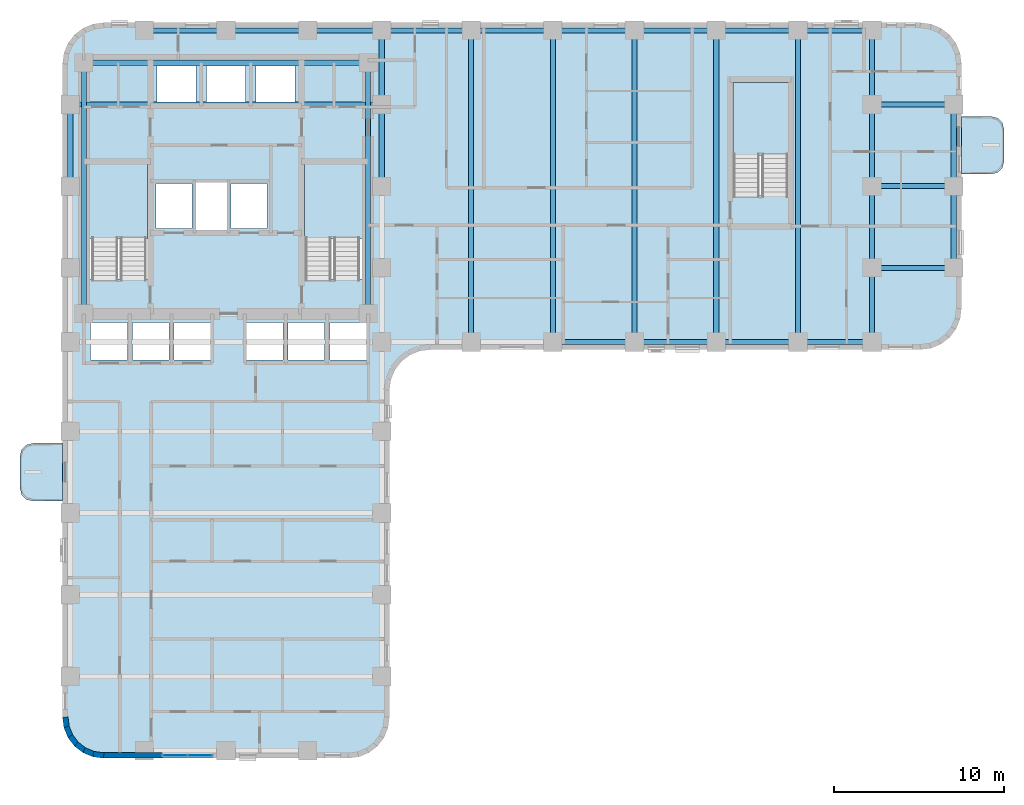
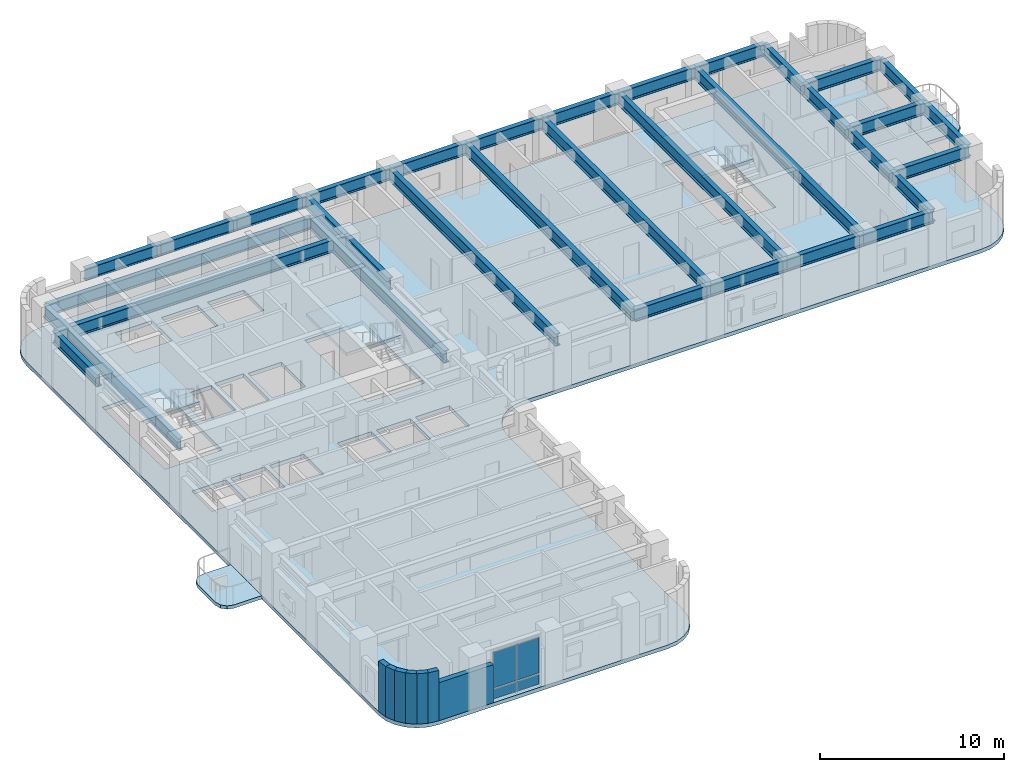
# One storey, part 3 of 12: 34 beams, 7 walls, 6 slabs, 4 plates, 4 elements without a shape of their own.
"""IFC4 building model written with IfcOpenShell, lengths in metres."""

from ifc_helpers import new_model, si_unit, direction, frame, frame_2d, origin, origin_2d, place, context, subcontext, project, spatial, polyline, rectangle, i_section, outline, extrude, material, layer, layer_set, material_profile, profile_set, type_object, element, aggregate, save


model = new_model("IFC4")

# Units and contexts
model_context = context("Model", 3, precision=1e-05, world=origin(), true_north=direction((0.0, 1.0)))
body_context = subcontext(model_context, "Body", "Model", "MODEL_VIEW")
ifc_project = project(units=[si_unit("LENGTHUNIT", "METRE"), si_unit("AREAUNIT", "SQUARE_METRE"), si_unit("VOLUMEUNIT", "CUBIC_METRE"), si_unit("PLANEANGLEUNIT", "RADIAN"), si_unit("MASSUNIT", "GRAM", prefix="KILO")], contexts=[model_context])

# Site, building, storey
site_placement = place(None, origin())
site = spatial("IfcSite", under=ifc_project, at=site_placement, CompositionType="ELEMENT")
building_placement = place(site_placement, origin())
building = spatial("IfcBuilding", under=site, at=building_placement, Name="Orvandelia Arch Residences", CompositionType="ELEMENT")
storey_placement = place(building_placement, frame((0.0, 0.0, 71.800048828125)))
storey = spatial("IfcBuildingStorey", under=building, at=storey_placement, Name="L18", CompositionType="ELEMENT", Elevation=71.800048828125)

# Beams
ifc_material_1 = material(Name="Structural Steel SM355 (355 MPa)", Category="steel")
ifc_material_profile = material_profile(ifc_material_1, i_section(OverallWidth=0.300048828125, OverallDepth=0.800048828125, WebThickness=0.013916015625, FlangeThickness=0.02587890625, FilletRadius=0.02587890625, at=origin_2d()), Name="Structural Steel SM355 (355 MPa)", Category="steel")
ifc_profile_set = profile_set([ifc_material_profile], Name="Structural Steel SM355 (355 MPa)")
beam_type = type_object("IfcBeamType", Name="BM-GRD-H800", PredefinedType="BEAM", material=ifc_profile_set)
beam_1_placement = place(storey_placement, frame((5.25, 38.39990234375, 2.949951171875), z_axis=(0.0, 1.0, 0.0), x_axis=(-1.0, 0.0, 0.0)))
element("IfcBeam", 1, at=beam_1_placement, inside=storey, type_object=beam_type, Name="Structural Frame Beam L18-NS-007", PredefinedType="BEAM", context=body_context, shape_type="SweptSolid", body=[
    extrude(i_section(OverallWidth=0.300048828125, OverallDepth=0.800048828125, WebThickness=0.013916015625, FlangeThickness=0.02587890625, FilletRadius=0.02587890625, at=origin_2d()), origin(), (0.0, 0.0, 1.0), 4.800048828125),
])
for number, where, z_axis, x_axis, name in (
    (2, (6.050048828125, 30.89990234375, 2.949951171875), (0.0, 1.0, 0.0), (-1.0, 0.0, 0.0), "Structural Frame Beam L18-NS-008"),
    (3, (22.75, 30.89990234375, 2.949951171875), (0.0, 1.0, 0.0), (-1.0, 0.0, 0.0), "Structural Frame Beam L18-NS-009"),
):
    element("IfcBeam", number, at=place(storey_placement, frame(where, z_axis=z_axis, x_axis=x_axis)), inside=storey, type_object=beam_type, Name=name, PredefinedType="BEAM", context=body_context, shape_type="SweptSolid", body=[
        extrude(i_section(OverallWidth=0.300048828125, OverallDepth=0.800048828125, WebThickness=0.013916015625, FlangeThickness=0.02587890625, FilletRadius=0.02587890625, at=origin_2d()), origin(), (0.0, 0.0, 1.0), 14.75),
    ])
beam_2_placement = place(storey_placement, frame((23.550048828125, 38.39990234375, 2.949951171875), z_axis=(0.0, 1.0, 0.0), x_axis=(-1.0, 0.0, 0.0)))
element("IfcBeam", 4, at=beam_2_placement, inside=storey, type_object=beam_type, Name="Structural Frame Beam L18-NS-016", PredefinedType="BEAM", context=body_context, shape_type="SweptSolid", body=[
    extrude(i_section(OverallWidth=0.300048828125, OverallDepth=0.800048828125, WebThickness=0.013916015625, FlangeThickness=0.02587890625, FilletRadius=0.02587890625, at=origin_2d()), origin(), (0.0, 0.0, 1.0), 4.800048828125),
])
beam_3_placement = place(storey_placement, frame((23.550048828125, 43.199951171875, 2.949951171875), z_axis=(0.0, 1.0, 0.0), x_axis=(-1.0, 0.0, 0.0)))
element("IfcBeam", 5, at=beam_3_placement, inside=storey, type_object=beam_type, Name="Structural Frame Beam L18-NS-017", PredefinedType="BEAM", context=body_context, shape_type="SweptSolid", body=[
    extrude(i_section(OverallWidth=0.300048828125, OverallDepth=0.800048828125, WebThickness=0.013916015625, FlangeThickness=0.02587890625, FilletRadius=0.02587890625, at=origin_2d()), origin(), (0.0, 0.0, 1.0), 4.35009765625),
])
for number, where, z_axis, x_axis, name in (
    (6, (28.800048828125, 29.25, 2.949951171875), (0.0, 1.0, 0.0), (-1.0, 0.0, 0.0), "Structural Frame Beam L18-NS-018"),
    (7, (33.60009765625, 29.25, 2.949951171875), (0.0, 1.0, 0.0), (-1.0, 0.0, 0.0), "Structural Frame Beam L18-NS-019"),
    (8, (38.39990234375, 29.25, 2.949951171875), (0.0, 1.0, 0.0), (-1.0, 0.0, 0.0), "Structural Frame Beam L18-NS-020"),
    (9, (43.199951171875, 29.25, 2.949951171875), (0.0, 1.0, 0.0), (-1.0, 0.0, 0.0), "Structural Frame Beam L18-NS-021"),
    (10, (48.0, 29.25, 2.949951171875), (0.0, 1.0, 0.0), (-1.0, 0.0, 0.0), "Structural Frame Beam L18-NS-022"),
):
    element("IfcBeam", number, at=place(storey_placement, frame(where, z_axis=z_axis, x_axis=x_axis)), inside=storey, type_object=beam_type, Name=name, PredefinedType="BEAM", context=body_context, shape_type="SweptSolid", body=[
        extrude(i_section(OverallWidth=0.300048828125, OverallDepth=0.800048828125, WebThickness=0.013916015625, FlangeThickness=0.02587890625, FilletRadius=0.02587890625, at=origin_2d()), origin(), (0.0, 0.0, 1.0), 18.300048828125),
    ])
beam_4_placement = place(storey_placement, frame((52.35009765625, 29.25, 2.949951171875), z_axis=(0.0, 1.0, 0.0), x_axis=(-1.0, 0.0, 0.0)))
element("IfcBeam", 11, at=beam_4_placement, inside=storey, type_object=beam_type, Name="Structural Frame Beam L18-NS-023", PredefinedType="BEAM", context=body_context, shape_type="SweptSolid", body=[
    extrude(i_section(OverallWidth=0.300048828125, OverallDepth=0.800048828125, WebThickness=0.013916015625, FlangeThickness=0.02587890625, FilletRadius=0.02587890625, at=origin_2d()), origin(), (0.0, 0.0, 1.0), 4.35009765625),
])
beam_5_placement = place(storey_placement, frame((52.35009765625, 33.60009765625, 2.949951171875), z_axis=(0.0, 1.0, 0.0), x_axis=(-1.0, 0.0, 0.0)))
element("IfcBeam", 12, at=beam_5_placement, inside=storey, type_object=beam_type, Name="Structural Frame Beam L18-NS-024", PredefinedType="BEAM", context=body_context, shape_type="SweptSolid", body=[
    extrude(i_section(OverallWidth=0.300048828125, OverallDepth=0.800048828125, WebThickness=0.013916015625, FlangeThickness=0.02587890625, FilletRadius=0.02587890625, at=origin_2d()), origin(), (0.0, 0.0, 1.0), 4.7998046875),
])
beam_6_placement = place(storey_placement, frame((52.35009765625, 38.39990234375, 2.949951171875), z_axis=(0.0, 1.0, 0.0), x_axis=(-1.0, 0.0, 0.0)))
element("IfcBeam", 13, at=beam_6_placement, inside=storey, type_object=beam_type, Name="Structural Frame Beam L18-NS-025", PredefinedType="BEAM", context=body_context, shape_type="SweptSolid", body=[
    extrude(i_section(OverallWidth=0.300048828125, OverallDepth=0.800048828125, WebThickness=0.013916015625, FlangeThickness=0.02587890625, FilletRadius=0.02587890625, at=origin_2d()), origin(), (0.0, 0.0, 1.0), 4.800048828125),
])
beam_7_placement = place(storey_placement, frame((52.35009765625, 43.199951171875, 2.949951171875), z_axis=(0.0, 1.0, 0.0), x_axis=(-1.0, 0.0, 0.0)))
element("IfcBeam", 14, at=beam_7_placement, inside=storey, type_object=beam_type, Name="Structural Frame Beam L18-NS-026", PredefinedType="BEAM", context=body_context, shape_type="SweptSolid", body=[
    extrude(i_section(OverallWidth=0.300048828125, OverallDepth=0.800048828125, WebThickness=0.013916015625, FlangeThickness=0.02587890625, FilletRadius=0.02587890625, at=origin_2d()), origin(), (0.0, 0.0, 1.0), 4.35009765625),
])
beam_8_placement = place(storey_placement, frame((57.14990234375, 33.60009765625, 2.949951171875), z_axis=(0.0, 1.0, 0.0), x_axis=(-1.0, 0.0, 0.0)))
element("IfcBeam", 15, at=beam_8_placement, inside=storey, type_object=beam_type, Name="Structural Frame Beam L18-NS-027", PredefinedType="BEAM", context=body_context, shape_type="SweptSolid", body=[
    extrude(i_section(OverallWidth=0.300048828125, OverallDepth=0.800048828125, WebThickness=0.013916015625, FlangeThickness=0.02587890625, FilletRadius=0.02587890625, at=origin_2d()), origin(), (0.0, 0.0, 1.0), 4.7998046875),
])
beam_9_placement = place(storey_placement, frame((57.14990234375, 38.39990234375, 2.949951171875), z_axis=(0.0, 1.0, 0.0), x_axis=(-1.0, 0.0, 0.0)))
element("IfcBeam", 16, at=beam_9_placement, inside=storey, type_object=beam_type, Name="Structural Frame Beam L18-NS-028", PredefinedType="BEAM", context=body_context, shape_type="SweptSolid", body=[
    extrude(i_section(OverallWidth=0.300048828125, OverallDepth=0.800048828125, WebThickness=0.013916015625, FlangeThickness=0.02587890625, FilletRadius=0.02587890625, at=origin_2d()), origin(), (0.0, 0.0, 1.0), 4.800048828125),
])
beam_10_placement = place(storey_placement, frame((33.60009765625, 29.25, 2.949951171875), z_axis=(1.0, 0.0, 0.0), x_axis=(0.0, 1.0, 0.0)))
element("IfcBeam", 17, at=beam_10_placement, inside=storey, type_object=beam_type, Name="Structural Frame Girder L18-EW-038", PredefinedType="BEAM", context=body_context, shape_type="SweptSolid", body=[
    extrude(i_section(OverallWidth=0.300048828125, OverallDepth=0.800048828125, WebThickness=0.013916015625, FlangeThickness=0.02587890625, FilletRadius=0.02587890625, at=origin_2d()), origin(), (0.0, 0.0, 1.0), 4.7998046875),
])
for number, where, z_axis, x_axis, name in (
    (18, (38.39990234375, 29.25, 2.949951171875), (1.0, 0.0, 0.0), (0.0, 1.0, 0.0), "Structural Frame Girder L18-EW-039"),
    (19, (43.199951171875, 29.25, 2.949951171875), (1.0, 0.0, 0.0), (0.0, 1.0, 0.0), "Structural Frame Girder L18-EW-040"),
):
    element("IfcBeam", number, at=place(storey_placement, frame(where, z_axis=z_axis, x_axis=x_axis)), inside=storey, type_object=beam_type, Name=name, PredefinedType="BEAM", context=body_context, shape_type="SweptSolid", body=[
        extrude(i_section(OverallWidth=0.300048828125, OverallDepth=0.800048828125, WebThickness=0.013916015625, FlangeThickness=0.02587890625, FilletRadius=0.02587890625, at=origin_2d()), origin(), (0.0, 0.0, 1.0), 4.800048828125),
    ])
beam_11_placement = place(storey_placement, frame((48.0, 29.25, 2.949951171875), z_axis=(1.0, 0.0, 0.0), x_axis=(0.0, 1.0, 0.0)))
element("IfcBeam", 20, at=beam_11_placement, inside=storey, type_object=beam_type, Name="Structural Frame Girder L18-EW-041", PredefinedType="BEAM", context=body_context, shape_type="SweptSolid", body=[
    extrude(i_section(OverallWidth=0.300048828125, OverallDepth=0.800048828125, WebThickness=0.013916015625, FlangeThickness=0.02587890625, FilletRadius=0.02587890625, at=origin_2d()), origin(), (0.0, 0.0, 1.0), 4.35009765625),
])
for number, where, z_axis, x_axis, name in (
    (21, (52.35009765625, 33.60009765625, 2.949951171875), (1.0, 0.0, 0.0), (0.0, 1.0, 0.0), "Structural Frame Girder L18-EW-044"),
    (22, (52.35009765625, 38.39990234375, 2.949951171875), (1.0, 0.0, 0.0), (0.0, 1.0, 0.0), "Structural Frame Girder L18-EW-046"),
):
    element("IfcBeam", number, at=place(storey_placement, frame(where, z_axis=z_axis, x_axis=x_axis)), inside=storey, type_object=beam_type, Name=name, PredefinedType="BEAM", context=body_context, shape_type="SweptSolid", body=[
        extrude(i_section(OverallWidth=0.300048828125, OverallDepth=0.800048828125, WebThickness=0.013916015625, FlangeThickness=0.02587890625, FilletRadius=0.02587890625, at=origin_2d()), origin(), (0.0, 0.0, 1.0), 4.7998046875),
    ])
beam_12_placement = place(storey_placement, frame((5.25, 43.199951171875, 2.949951171875), z_axis=(1.0, 0.0, 0.0), x_axis=(0.0, 1.0, 0.0)))
element("IfcBeam", 23, at=beam_12_placement, inside=storey, type_object=beam_type, Name="Structural Frame Girder L18-EW-047", PredefinedType="BEAM", context=body_context, shape_type="SweptSolid", body=[
    extrude(i_section(OverallWidth=0.300048828125, OverallDepth=0.800048828125, WebThickness=0.013916015625, FlangeThickness=0.02587890625, FilletRadius=0.02587890625, at=origin_2d()), origin(), (0.0, 0.0, 1.0), 18.300048828125),
])
beam_13_placement = place(storey_placement, frame((52.35009765625, 43.199951171875, 2.949951171875), z_axis=(1.0, 0.0, 0.0), x_axis=(0.0, 1.0, 0.0)))
element("IfcBeam", 24, at=beam_13_placement, inside=storey, type_object=beam_type, Name="Structural Frame Girder L18-EW-048", PredefinedType="BEAM", context=body_context, shape_type="SweptSolid", body=[
    extrude(i_section(OverallWidth=0.300048828125, OverallDepth=0.800048828125, WebThickness=0.013916015625, FlangeThickness=0.02587890625, FilletRadius=0.02587890625, at=origin_2d()), origin(), (0.0, 0.0, 1.0), 4.7998046875),
])
beam_14_placement = place(storey_placement, frame((6.050048828125, 45.64990234375, 2.949951171875), z_axis=(1.0, 0.0, 0.0), x_axis=(0.0, 1.0, 0.0)))
element("IfcBeam", 25, at=beam_14_placement, inside=storey, type_object=beam_type, Name="Structural Frame Girder L18-EW-049", PredefinedType="BEAM", context=body_context, shape_type="SweptSolid", body=[
    extrude(i_section(OverallWidth=0.300048828125, OverallDepth=0.800048828125, WebThickness=0.013916015625, FlangeThickness=0.02587890625, FilletRadius=0.02587890625, at=origin_2d()), origin(), (0.0, 0.0, 1.0), 16.699951171875),
])
beam_15_placement = place(storey_placement, frame((9.60009765625, 47.550048828125, 2.949951171875), z_axis=(1.0, 0.0, 0.0), x_axis=(0.0, 1.0, 0.0)))
element("IfcBeam", 26, at=beam_15_placement, inside=storey, type_object=beam_type, Name="Structural Frame Girder L18-EW-050", PredefinedType="BEAM", context=body_context, shape_type="SweptSolid", body=[
    extrude(i_section(OverallWidth=0.300048828125, OverallDepth=0.800048828125, WebThickness=0.013916015625, FlangeThickness=0.02587890625, FilletRadius=0.02587890625, at=origin_2d()), origin(), (0.0, 0.0, 1.0), 4.7998046875),
])
beam_16_placement = place(storey_placement, frame((14.39990234375, 47.550048828125, 2.949951171875), z_axis=(1.0, 0.0, 0.0), x_axis=(0.0, 1.0, 0.0)))
element("IfcBeam", 27, at=beam_16_placement, inside=storey, type_object=beam_type, Name="Structural Frame Girder L18-EW-051", PredefinedType="BEAM", context=body_context, shape_type="SweptSolid", body=[
    extrude(i_section(OverallWidth=0.300048828125, OverallDepth=0.800048828125, WebThickness=0.013916015625, FlangeThickness=0.02587890625, FilletRadius=0.02587890625, at=origin_2d()), origin(), (0.0, 0.0, 1.0), 4.800048828125),
])
beam_17_placement = place(storey_placement, frame((19.199951171875, 47.550048828125, 2.949951171875), z_axis=(1.0, 0.0, 0.0), x_axis=(0.0, 1.0, 0.0)))
element("IfcBeam", 28, at=beam_17_placement, inside=storey, type_object=beam_type, Name="Structural Frame Girder L18-EW-052", PredefinedType="BEAM", context=body_context, shape_type="SweptSolid", body=[
    extrude(i_section(OverallWidth=0.300048828125, OverallDepth=0.800048828125, WebThickness=0.013916015625, FlangeThickness=0.02587890625, FilletRadius=0.02587890625, at=origin_2d()), origin(), (0.0, 0.0, 1.0), 4.35009765625),
])
beam_18_placement = place(storey_placement, frame((23.550048828125, 47.550048828125, 2.949951171875), z_axis=(1.0, 0.0, 0.0), x_axis=(0.0, 1.0, 0.0)))
element("IfcBeam", 29, at=beam_18_placement, inside=storey, type_object=beam_type, Name="Structural Frame Girder L18-EW-053", PredefinedType="BEAM", context=body_context, shape_type="SweptSolid", body=[
    extrude(i_section(OverallWidth=0.300048828125, OverallDepth=0.800048828125, WebThickness=0.013916015625, FlangeThickness=0.02587890625, FilletRadius=0.02587890625, at=origin_2d()), origin(), (0.0, 0.0, 1.0), 5.25),
])
beam_19_placement = place(storey_placement, frame((28.800048828125, 47.550048828125, 2.949951171875), z_axis=(1.0, 0.0, 0.0), x_axis=(0.0, 1.0, 0.0)))
element("IfcBeam", 30, at=beam_19_placement, inside=storey, type_object=beam_type, Name="Structural Frame Girder L18-EW-054", PredefinedType="BEAM", context=body_context, shape_type="SweptSolid", body=[
    extrude(i_section(OverallWidth=0.300048828125, OverallDepth=0.800048828125, WebThickness=0.013916015625, FlangeThickness=0.02587890625, FilletRadius=0.02587890625, at=origin_2d()), origin(), (0.0, 0.0, 1.0), 4.800048828125),
])
beam_20_placement = place(storey_placement, frame((33.60009765625, 47.550048828125, 2.949951171875), z_axis=(1.0, 0.0, 0.0), x_axis=(0.0, 1.0, 0.0)))
element("IfcBeam", 31, at=beam_20_placement, inside=storey, type_object=beam_type, Name="Structural Frame Girder L18-EW-055", PredefinedType="BEAM", context=body_context, shape_type="SweptSolid", body=[
    extrude(i_section(OverallWidth=0.300048828125, OverallDepth=0.800048828125, WebThickness=0.013916015625, FlangeThickness=0.02587890625, FilletRadius=0.02587890625, at=origin_2d()), origin(), (0.0, 0.0, 1.0), 4.7998046875),
])
for number, where, z_axis, x_axis, name in (
    (32, (38.39990234375, 47.550048828125, 2.949951171875), (1.0, 0.0, 0.0), (0.0, 1.0, 0.0), "Structural Frame Girder L18-EW-056"),
    (33, (43.199951171875, 47.550048828125, 2.949951171875), (1.0, 0.0, 0.0), (0.0, 1.0, 0.0), "Structural Frame Girder L18-EW-057"),
):
    element("IfcBeam", number, at=place(storey_placement, frame(where, z_axis=z_axis, x_axis=x_axis)), inside=storey, type_object=beam_type, Name=name, PredefinedType="BEAM", context=body_context, shape_type="SweptSolid", body=[
        extrude(i_section(OverallWidth=0.300048828125, OverallDepth=0.800048828125, WebThickness=0.013916015625, FlangeThickness=0.02587890625, FilletRadius=0.02587890625, at=origin_2d()), origin(), (0.0, 0.0, 1.0), 4.800048828125),
    ])
beam_21_placement = place(storey_placement, frame((48.0, 47.550048828125, 2.949951171875), z_axis=(1.0, 0.0, 0.0), x_axis=(0.0, 1.0, 0.0)))
element("IfcBeam", 34, at=beam_21_placement, inside=storey, type_object=beam_type, Name="Structural Frame Girder L18-EW-058", PredefinedType="BEAM", context=body_context, shape_type="SweptSolid", body=[
    extrude(i_section(OverallWidth=0.300048828125, OverallDepth=0.800048828125, WebThickness=0.013916015625, FlangeThickness=0.02587890625, FilletRadius=0.02587890625, at=origin_2d()), origin(), (0.0, 0.0, 1.0), 4.35009765625),
])

# Curtain wall, plates
ifc_material_2 = material(Name="Anodised Bronze Curtain Wall Assembly")
curtain_wall_type = type_object("IfcCurtainWallType", Name="CW-SYS5-CORNER", PredefinedType="NOTDEFINED", material=ifc_material_2)
curtain_wall_placement = place(storey_placement, origin())
curtain_wall = element("IfcCurtainWall", 35, at=curtain_wall_placement, inside=storey, type_object=curtain_wall_type, Name="Feature Bay Winter-Garden Curtain Wall L18 1", PredefinedType="NOTDEFINED")
ifc_material_3 = material(Name="Insulated Bronze Aluminium Spandrel Panel", Category="aluminium")
ifc_layer_1 = layer(ifc_material_3, 0.0400390625, Name="Insulated Bronze Aluminium Spandrel Panel", Category="aluminium")
ifc_layer_set_1 = layer_set([ifc_layer_1], Name="Insulated Bronze Aluminium Spandrel Panel")
plate_type_1 = type_object("IfcPlateType", Name="CW-PANEL-SPANDREL", PredefinedType="SHEET", material=ifc_layer_set_1)
plate_1_placement = place(storey_placement, frame((11.41259765625, 4.9599609375, 0.125), z_axis=(0.0, 0.0, 1.0), x_axis=(1.0, 0.0, 0.0)))
plate_1 = element("IfcPlate", 36, at=plate_1_placement, type_object=plate_type_1, Name="Curtain Wall Spandrel Panel CW-L18-1-PS1", PredefinedType="SHEET", context=body_context, shape_type="SweptSolid", body=[
    extrude(rectangle(XDim=1.4150390625, YDim=0.0400390625, at=origin_2d()), origin(), (0.0, 0.0, 1.0), 0.6240234375),
])
plate_2_placement = place(storey_placement, frame((12.87744140625, 4.9599609375, 0.125), z_axis=(0.0, 0.0, 1.0), x_axis=(1.0, 0.0, 0.0)))
plate_2 = element("IfcPlate", 37, at=plate_2_placement, type_object=plate_type_1, Name="Curtain Wall Spandrel Panel CW-L18-1-PS2", PredefinedType="SHEET", context=body_context, shape_type="SweptSolid", body=[
    extrude(rectangle(XDim=1.4150390625, YDim=0.0400390625, at=origin_2d()), origin(), (0.0, 0.0, 1.0), 0.6240234375),
])
ifc_material_4 = material(Name="Low-E Laminated Double Glazing", Category="glass")
ifc_layer_2 = layer(ifc_material_4, 0.031982421875, Name="Low-E Laminated Double Glazing", Category="glass")
ifc_layer_set_2 = layer_set([ifc_layer_2], Name="Low-E Laminated Double Glazing")
plate_type_2 = type_object("IfcPlateType", Name="CW-PANEL-VISION", PredefinedType="CURTAIN_PANEL", material=ifc_layer_set_2)
plate_3_placement = place(storey_placement, frame((11.41259765625, 4.9599609375, 0.85888671875), z_axis=(0.0, 0.0, 1.0), x_axis=(1.0, 0.0, 0.0)))
plate_3 = element("IfcPlate", 38, at=plate_3_placement, type_object=plate_type_2, Name="Curtain Wall Vision Glass Panel CW-L18-1-PV1", PredefinedType="CURTAIN_PANEL", context=body_context, shape_type="SweptSolid", body=[
    extrude(rectangle(XDim=1.4150390625, YDim=0.031982421875, at=origin_2d()), origin(), (0.0, 0.0, 1.0), 2.365966796875),
])
plate_4_placement = place(storey_placement, frame((12.87744140625, 4.9599609375, 0.85888671875), z_axis=(0.0, 0.0, 1.0), x_axis=(1.0, 0.0, 0.0)))
plate_4 = element("IfcPlate", 39, at=plate_4_placement, type_object=plate_type_2, Name="Curtain Wall Vision Glass Panel CW-L18-1-PV2", PredefinedType="CURTAIN_PANEL", context=body_context, shape_type="SweptSolid", body=[
    extrude(rectangle(XDim=1.4150390625, YDim=0.031982421875, at=origin_2d()), origin(), (0.0, 0.0, 1.0), 2.365966796875),
])
aggregate(curtain_wall, [plate_1, plate_3, plate_2, plate_4])

# Slabs
ifc_material_5 = material(Name="Precast concrete C40/50", Category="concrete")
ifc_layer_3 = layer(ifc_material_5, 0.219970703125, Name="Precast concrete C40/50", Category="concrete")
ifc_layer_set_3 = layer_set([ifc_layer_3], Name="Precast concrete C40/50")
slab_type_1 = type_object("IfcSlabType", Name="SLB-BAL-220", PredefinedType="USERDEFINED", material=ifc_layer_set_3)
slab_1_placement = place(storey_placement, frame((0.0, 0.0, -0.219970703125)))
element("IfcSlab", 40, at=slab_1_placement, inside=storey, type_object=slab_type_1, Name="Tree Balcony Cantilever Slab BAL-L18-W1", ObjectType="BALCONY", PredefinedType="USERDEFINED", context=body_context, shape_type="SweptSolid", body=[
    extrude(outline(polyline([(4.800048828125, 19.89990234375), (4.800048828125, 23.300048828125), (3.050048828125, 23.300048828125), (2.675048828125, 23.199462890625), (2.400390625, 22.925048828125), (2.300048828125, 22.550048828125), (2.300048828125, 20.64990234375), (2.400390625, 20.27490234375), (2.675048828125, 20.00048828125), (3.050048828125, 19.89990234375), (4.800048828125, 19.89990234375)])), origin(), (0.0, 0.0, 1.0), 0.219970703125),
])
slab_2_placement = place(storey_placement, frame((0.0, 0.0, -0.219970703125)))
element("IfcSlab", 41, at=slab_2_placement, inside=storey, type_object=slab_type_1, Name="Tree Balcony Cantilever Slab BAL-L18-E1", ObjectType="BALCONY", PredefinedType="USERDEFINED", context=body_context, shape_type="SweptSolid", body=[
    extrude(outline(polyline([(57.60009765625, 42.5), (57.60009765625, 39.10009765625), (59.35009765625, 39.10009765625), (59.72509765625, 39.200439453125), (59.99951171875, 39.47509765625), (60.10009765625, 39.85009765625), (60.10009765625, 41.75), (59.99951171875, 42.125), (59.72509765625, 42.3994140625), (59.35009765625, 42.5), (57.60009765625, 42.5)])), origin(), (0.0, 0.0, 1.0), 0.219970703125),
])

# Stair, slab
ifc_material_6 = material(Name="Concrete C40/50", Category="concrete")
stair_type = type_object("IfcStairType", Name="STAIR-RC-DOGLEG", PredefinedType="HALF_TURN_STAIR", material=ifc_material_6)
stair_1_placement = place(storey_placement, origin())
stair_1 = element("IfcStair", 42, at=stair_1_placement, inside=storey, type_object=stair_type, Name="L18 Protected Exit Stair ST-1", PredefinedType="HALF_TURN_STAIR")
ifc_layer_4 = layer(ifc_material_6, 0.219970703125, Name="Concrete C40/50", Category="concrete")
ifc_layer_set_4 = layer_set([ifc_layer_4], Name="Concrete C40/50")
slab_type_2 = type_object("IfcSlabType", Name="SLB-LANDING-220", PredefinedType="LANDING", material=ifc_layer_set_4)
slab_3_placement = place(storey_placement, frame((0.0, 0.0, 1.599853515625)))
slab_3 = element("IfcSlab", 43, at=slab_3_placement, type_object=slab_type_2, Name="ST-1 landing 1", PredefinedType="LANDING", context=body_context, shape_type="SweptSolid", body=[
    extrude(outline(polyline([(9.800048828125, 35.31005859375), (9.800048828125, 39.68994140625), (6.260009765625, 39.68994140625), (6.260009765625, 35.31005859375), (9.800048828125, 35.31005859375)])), origin(), (0.0, 0.0, 1.0), 0.2001953125),
])
aggregate(stair_1, [slab_3])

stair_2_placement = place(storey_placement, origin())
stair_2 = element("IfcStair", 44, at=stair_2_placement, inside=storey, type_object=stair_type, Name="L18 Protected Exit Stair ST-2", PredefinedType="HALF_TURN_STAIR")
slab_4_placement = place(storey_placement, frame((0.0, 0.0, 1.599853515625)))
slab_4 = element("IfcSlab", 45, at=slab_4_placement, type_object=slab_type_2, Name="ST-2 landing 1", PredefinedType="LANDING", context=body_context, shape_type="SweptSolid", body=[
    extrude(outline(polyline([(22.5400390625, 35.31005859375), (22.5400390625, 39.68994140625), (19.0, 39.68994140625), (19.0, 35.31005859375), (22.5400390625, 35.31005859375)])), origin(), (0.0, 0.0, 1.0), 0.2001953125),
])
aggregate(stair_2, [slab_4])

stair_3_placement = place(storey_placement, origin())
stair_3 = element("IfcStair", 46, at=stair_3_placement, inside=storey, type_object=stair_type, Name="L18 East Wing Exit Stair ST-3", PredefinedType="HALF_TURN_STAIR")
slab_5_placement = place(storey_placement, frame((0.0, 0.0, 1.599853515625)))
slab_5 = element("IfcSlab", 47, at=slab_5_placement, type_object=slab_type_2, Name="ST-3 landing 1", PredefinedType="LANDING", context=body_context, shape_type="SweptSolid", body=[
    extrude(outline(polyline([(47.43994140625, 40.2099609375), (47.43994140625, 44.5), (44.179931640625, 44.5), (44.179931640625, 40.2099609375), (47.43994140625, 40.2099609375)])), origin(), (0.0, 0.0, 1.0), 0.2001953125),
])
aggregate(stair_3, [slab_5])

# Slab
ifc_layer_5 = layer(ifc_material_6, 0.25, Name="Concrete C40/50", Category="concrete")
ifc_layer_set_5 = layer_set([ifc_layer_5], Name="Concrete C40/50")
slab_type_3 = type_object("IfcSlabType", Name="SLB-TWR-250", PredefinedType="FLOOR", material=ifc_layer_set_5)
slab_6_placement = place(storey_placement, frame((0.0, 0.0, -0.25)))
element("IfcSlab", 48, at=slab_6_placement, inside=storey, type_object=slab_type_3, Name="Structural Floor Slab L18-1", PredefinedType="FLOOR", context=body_context, shape_type="SweptSolid", body=[
    extrude(outline(polyline([(4.800048828125, 7.199951171875), (4.8818359375, 6.578857421875), (5.12158203125, 6.0), (5.5029296875, 5.5029296875), (6.0, 5.12158203125), (6.578857421875, 4.8818359375), (7.199951171875, 4.800048828125), (21.60009765625, 4.800048828125), (22.22119140625, 4.8818359375), (22.800048828125, 5.12158203125), (23.297119140625, 5.5029296875), (23.678466796875, 6.0), (23.918212890625, 6.578857421875), (24.0, 7.199951171875), (24.0, 26.39990234375), (24.081787109375, 27.021240234375), (24.321533203125, 27.60009765625), (24.702880859375, 28.09716796875), (25.199951171875, 28.478515625), (25.77880859375, 28.71826171875), (26.39990234375, 28.800048828125), (55.199951171875, 28.800048828125), (55.8212890625, 28.8818359375), (56.39990234375, 29.12158203125), (56.897216796875, 29.5029296875), (57.278564453125, 30.0), (57.518310546875, 30.578857421875), (57.60009765625, 31.199951171875), (57.60009765625, 45.60009765625), (57.518310546875, 46.22119140625), (57.278564453125, 46.800048828125), (56.897216796875, 47.297119140625), (56.39990234375, 47.678466796875), (55.8212890625, 47.918212890625), (55.199951171875, 48.0), (7.199951171875, 48.0), (6.578857421875, 47.918212890625), (6.0, 47.678466796875), (5.5029296875, 47.297119140625), (5.12158203125, 46.800048828125), (4.8818359375, 46.22119140625), (4.800048828125, 45.60009765625), (4.800048828125, 7.199951171875)]), holes=[polyline([(6.219970703125, 32.949951171875), (9.840087890625, 32.949951171875), (9.840087890625, 39.72998046875), (6.219970703125, 39.72998046875), (6.219970703125, 32.949951171875)]), polyline([(18.9599609375, 32.949951171875), (22.580078125, 32.949951171875), (22.580078125, 39.72998046875), (18.9599609375, 39.72998046875), (18.9599609375, 32.949951171875)]), polyline([(44.139892578125, 37.85009765625), (47.47998046875, 37.85009765625), (47.47998046875, 44.5400390625), (44.139892578125, 44.5400390625), (44.139892578125, 37.85009765625)]), polyline([(12.639892578125, 35.81005859375), (14.4599609375, 35.81005859375), (14.4599609375, 38.639892578125), (12.639892578125, 38.639892578125), (12.639892578125, 35.81005859375)]), polyline([(10.300048828125, 35.89990234375), (12.39990234375, 35.89990234375), (12.39990234375, 38.550048828125), (10.300048828125, 38.550048828125), (10.300048828125, 35.89990234375)]), polyline([(14.699951171875, 35.89990234375), (16.800048828125, 35.89990234375), (16.800048828125, 38.550048828125), (14.699951171875, 38.550048828125), (14.699951171875, 35.89990234375)]), polyline([(10.35009765625, 43.300048828125), (12.64990234375, 43.300048828125), (12.64990234375, 45.5), (10.35009765625, 45.5), (10.35009765625, 43.300048828125)]), polyline([(13.25, 43.300048828125), (15.550048828125, 43.300048828125), (15.550048828125, 45.5), (13.25, 45.5), (13.25, 43.300048828125)]), polyline([(16.14990234375, 43.300048828125), (18.449951171875, 43.300048828125), (18.449951171875, 45.5), (16.14990234375, 45.5), (16.14990234375, 43.300048828125)]), polyline([(6.449951171875, 28.199951171875), (8.60009765625, 28.199951171875), (8.60009765625, 30.39990234375), (6.449951171875, 30.39990234375), (6.449951171875, 28.199951171875)]), polyline([(8.89990234375, 28.199951171875), (11.050048828125, 28.199951171875), (11.050048828125, 30.39990234375), (8.89990234375, 30.39990234375), (8.89990234375, 28.199951171875)]), polyline([(11.35009765625, 28.199951171875), (13.5, 28.199951171875), (13.5, 30.39990234375), (11.35009765625, 30.39990234375), (11.35009765625, 28.199951171875)]), polyline([(15.60009765625, 28.199951171875), (17.75, 28.199951171875), (17.75, 30.39990234375), (15.60009765625, 30.39990234375), (15.60009765625, 28.199951171875)]), polyline([(18.050048828125, 28.199951171875), (20.199951171875, 28.199951171875), (20.199951171875, 30.39990234375), (18.050048828125, 30.39990234375), (18.050048828125, 28.199951171875)]), polyline([(20.5, 28.199951171875), (22.64990234375, 28.199951171875), (22.64990234375, 30.39990234375), (20.5, 30.39990234375), (20.5, 28.199951171875)])]), origin(), (0.0, 0.0, 1.0), 0.25),
])

# Walls
ifc_layer_6 = layer(ifc_material_5, 0.320068359375, Name="Precast concrete C40/50", Category="concrete")
ifc_layer_set_6 = layer_set([ifc_layer_6], Name="Precast concrete C40/50")
wall_type = type_object("IfcWallType", Name="WL-EXT-STONE-320", PredefinedType="STANDARD", material=ifc_layer_set_6)
wall_1_placement = place(storey_placement, frame((10.639892578125, 4.9599609375, 0.0), z_axis=(0.0, 0.0, 1.0), x_axis=(-1.0, 0.0, 0.0)))
element("IfcWall", 49, at=wall_1_placement, inside=storey, type_object=wall_type, Name="Coral-Limestone Precast Facade Wall L18-036", PredefinedType="STANDARD", context=body_context, shape_type="SweptSolid", body=[
    extrude(rectangle(XDim=3.43994140625, YDim=0.320068359375, at=frame_2d((1.719970703125, 0.0))), origin(), (0.0, 0.0, 1.0), 2.530029296875),
])
wall_2_placement = place(storey_placement, frame((7.220947265625, 4.95849609375, 0.0), z_axis=(0.0, 0.0, 1.0), x_axis=(-0.991447664465, 0.130504898859, 0.0)))
element("IfcWall", 50, at=wall_2_placement, inside=storey, type_object=wall_type, Name="Coral-Limestone Precast Facade Wall L18-037", PredefinedType="STANDARD", context=body_context, shape_type="SweptSolid", body=[
    extrude(rectangle(XDim=0.626708984375, YDim=0.320068359375, at=frame_2d((0.3134765625, 0.0))), origin(), (0.0, 0.0, 1.0), 3.349853515625),
])
wall_3_placement = place(storey_placement, frame((6.639892578125, 5.029541015625, 0.0), z_axis=(0.0, 0.0, 1.0), x_axis=(-0.923836271867, 0.382787856107, 0.0)))
element("IfcWall", 51, at=wall_3_placement, inside=storey, type_object=wall_type, Name="Coral-Limestone Precast Facade Wall L18-038", PredefinedType="STANDARD", context=body_context, shape_type="SweptSolid", body=[
    extrude(rectangle(XDim=0.626220703125, YDim=0.320068359375, at=frame_2d((0.31298828125, 0.0))), origin(), (0.0, 0.0, 1.0), 3.349853515625),
])
for number, where, z_axis, x_axis, name in (
    (52, (6.097412109375, 5.248291015625, 0.0), (0.0, 0.0, 1.0), (-0.7932174212, 0.608938521285, 0.0), "Coral-Limestone Precast Facade Wall L18-039"),
    (53, (5.6298828125, 5.600341796875, 0.0), (0.0, 0.0, 1.0), (-0.608938521285, 0.7932174212, 0.0), "Coral-Limestone Precast Facade Wall L18-040"),
):
    element("IfcWall", number, at=place(storey_placement, frame(where, z_axis=z_axis, x_axis=x_axis)), inside=storey, type_object=wall_type, Name=name, PredefinedType="STANDARD", context=body_context, shape_type="SweptSolid", body=[
        extrude(rectangle(XDim=0.626708984375, YDim=0.320068359375, at=frame_2d((0.3134765625, 0.0))), origin(), (0.0, 0.0, 1.0), 3.349853515625),
    ])
wall_4_placement = place(storey_placement, frame((5.269287109375, 6.061279296875, 0.0), z_axis=(0.0, 0.0, 1.0), x_axis=(-0.382787856107, 0.923836271867, 0.0)))
element("IfcWall", 54, at=wall_4_placement, inside=storey, type_object=wall_type, Name="Coral-Limestone Precast Facade Wall L18-041", PredefinedType="STANDARD", context=body_context, shape_type="SweptSolid", body=[
    extrude(rectangle(XDim=0.626220703125, YDim=0.320068359375, at=frame_2d((0.31298828125, 0.0))), origin(), (0.0, 0.0, 1.0), 3.349853515625),
])
wall_5_placement = place(storey_placement, frame((5.040283203125, 6.599609375, 0.0), z_axis=(0.0, 0.0, 1.0), x_axis=(-0.130504898859, 0.991447664465, 0.0)))
element("IfcWall", 55, at=wall_5_placement, inside=storey, type_object=wall_type, Name="Coral-Limestone Precast Facade Wall L18-042", PredefinedType="STANDARD", context=body_context, shape_type="SweptSolid", body=[
    extrude(rectangle(XDim=0.626708984375, YDim=0.320068359375, at=frame_2d((0.3134765625, 0.0))), origin(), (0.0, 0.0, 1.0), 3.349853515625),
])

save(model, "model.ifc")
